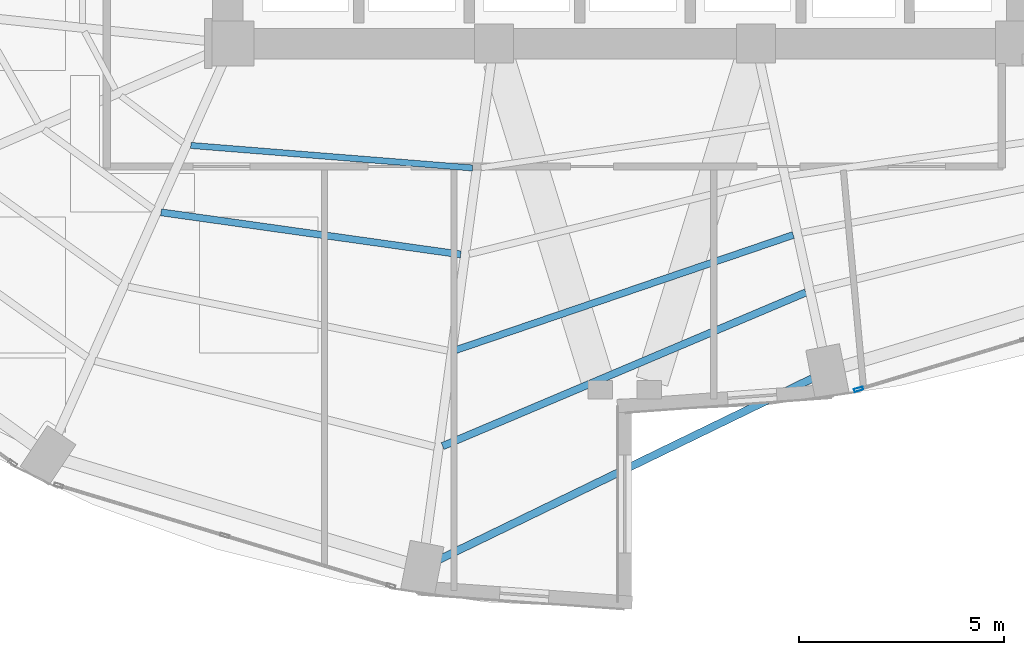
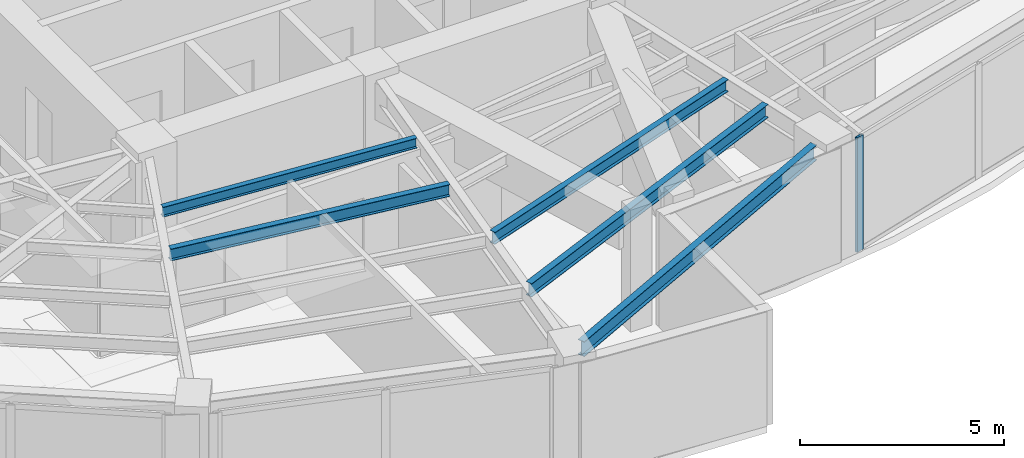
# One storey, part 6 of 24: 5 beams, 1 member, 1 element without a shape of its own.
"""IFC4 building model written with IfcOpenShell, lengths in metres."""

from ifc_helpers import new_model, si_unit, direction, frame, origin, origin_2d, place, context, subcontext, project, spatial, hollow_rectangle, i_section, extrude, material, layer, layer_set, material_profile, profile_set, type_object, element, aggregate, save


model = new_model("IFC4")

# Units and contexts
model_context = context("Model", 3, precision=1e-05, world=origin(), true_north=direction((0.0, 1.0)))
body_context = subcontext(model_context, "Body", "Model", "MODEL_VIEW")
ifc_project = project(units=[si_unit("LENGTHUNIT", "METRE"), si_unit("AREAUNIT", "SQUARE_METRE"), si_unit("VOLUMEUNIT", "CUBIC_METRE"), si_unit("PLANEANGLEUNIT", "RADIAN"), si_unit("MASSUNIT", "GRAM", prefix="KILO")], contexts=[model_context])

# Site, building, storey
site_placement = place(None, origin())
site = spatial("IfcSite", under=ifc_project, at=site_placement, CompositionType="ELEMENT")
building_placement = place(site_placement, origin())
building = spatial("IfcBuilding", under=site, at=building_placement, Name="Lazwardi Medical Tower", CompositionType="ELEMENT")
storey_placement = place(building_placement, frame((0.0, 0.0, 118.22412109375)))
storey = spatial("IfcBuildingStorey", under=building, at=storey_placement, Name="L30", CompositionType="ELEMENT", Elevation=118.22412109375)

# Beams
ifc_material_1 = material(Name="Steel S355", Category="steel")
ifc_material_profile_1 = material_profile(ifc_material_1, i_section(OverallWidth=0.179931640625, OverallDepth=0.39990234375, WebThickness=0.008544921875, FlangeThickness=0.013427734375, at=origin_2d()), Name="IPE 400")
ifc_profile_set_1 = profile_set([ifc_material_profile_1], Name="Steel S355")
beam_type_1 = type_object("IfcBeamType", Name="BM-SJ-01", PredefinedType="JOIST", material=ifc_profile_set_1)
beam_1_placement = place(storey_placement, frame((31.550537109375, 10.571533203125, 3.227783203125), z_axis=(0.920947307957, 0.389687125739, 0.0), x_axis=(-0.389687125739, 0.920947307957, 0.0)))
element("IfcBeam", 1, at=beam_1_placement, inside=storey, type_object=beam_type_1, Name="Secondary joist SJ-01 R1 B16 L30", PredefinedType="JOIST", context=body_context, shape_type="SweptSolid", body=[
    extrude(i_section(OverallWidth=0.179931640625, OverallDepth=0.39990234375, WebThickness=0.008544921875, FlangeThickness=0.013427734375, at=origin_2d()), origin(), (0.0, 0.0, 1.0), 9.63134765625),
])
ifc_material_profile_2 = material_profile(ifc_material_1, i_section(OverallWidth=0.169921875, OverallDepth=0.360107421875, WebThickness=0.008056640625, FlangeThickness=0.0126953125, at=origin_2d()), Name="IPE 360")
ifc_profile_set_2 = profile_set([ifc_material_profile_2], Name="Steel S355")
beam_type_2 = type_object("IfcBeamType", Name="BM-SJ-02", PredefinedType="JOIST", material=ifc_profile_set_2)
beam_2_placement = place(storey_placement, frame((31.874267578125, 12.91796875, 3.247802734375), z_axis=(0.946467154368, 0.322800132749, 0.0), x_axis=(-0.322800132749, 0.946467154368, 0.0)))
element("IfcBeam", 2, at=beam_2_placement, inside=storey, type_object=beam_type_2, Name="Secondary joist SJ-02 R2 B16 L30", PredefinedType="JOIST", context=body_context, shape_type="SweptSolid", body=[
    extrude(i_section(OverallWidth=0.169921875, OverallDepth=0.360107421875, WebThickness=0.008056640625, FlangeThickness=0.0126953125, at=origin_2d()), origin(), (0.0, 0.0, 1.0), 8.70458984375),
])
beam_3_placement = place(storey_placement, frame((24.67431640625, 16.281005859375, 3.247802734375), z_axis=(0.990260920731, -0.139223952222, 0.0), x_axis=(0.139223952222, 0.990260920731, 0.0)))
element("IfcBeam", 3, at=beam_3_placement, inside=storey, type_object=beam_type_2, Name="Secondary joist SJ-02 R3 B15 L30", PredefinedType="JOIST", context=body_context, shape_type="SweptSolid", body=[
    extrude(i_section(OverallWidth=0.169921875, OverallDepth=0.360107421875, WebThickness=0.008056640625, FlangeThickness=0.0126953125, at=origin_2d()), origin(), (0.0, 0.0, 1.0), 7.3896484375),
])
ifc_material_profile_3 = material_profile(ifc_material_1, i_section(OverallWidth=0.14990234375, OverallDepth=0.300048828125, WebThickness=0.007080078125, FlangeThickness=0.0107421875, at=origin_2d()), Name="IPE 300")
ifc_profile_set_3 = profile_set([ifc_material_profile_3], Name="Steel S355")
beam_type_3 = type_object("IfcBeamType", Name="BM-SJ-03", PredefinedType="JOIST", material=ifc_profile_set_3)
beam_4_placement = place(storey_placement, frame((25.400390625, 17.914306640625, 3.27783203125), z_axis=(0.996816178299, -0.079733974445, 0.0), x_axis=(0.079733974445, 0.996816178299, 0.0)))
element("IfcBeam", 4, at=beam_4_placement, inside=storey, type_object=beam_type_3, Name="Secondary joist SJ-03 R4 B15 L30", PredefinedType="JOIST", context=body_context, shape_type="SweptSolid", body=[
    extrude(i_section(OverallWidth=0.14990234375, OverallDepth=0.300048828125, WebThickness=0.007080078125, FlangeThickness=0.0107421875, at=origin_2d()), origin(), (0.0, 0.0, 1.0), 6.901611328125),
])
ifc_material_profile_4 = material_profile(ifc_material_1, i_section(OverallWidth=0.18994140625, OverallDepth=0.449951171875, WebThickness=0.009521484375, FlangeThickness=0.0146484375, at=origin_2d()), Name="IPE 450")
ifc_profile_set_4 = profile_set([ifc_material_profile_4], Name="Steel S355")
beam_type_4 = type_object("IfcBeamType", Name="BM-SP-01", PredefinedType="SPANDREL", material=ifc_profile_set_4)
beam_5_placement = place(storey_placement, frame((31.42333984375, 7.781494140625, 3.202880859375), z_axis=(0.899653336227, 0.436604941125, 0.0), x_axis=(-0.436604941125, 0.899653336227, 0.0)))
element("IfcBeam", 5, at=beam_5_placement, inside=storey, type_object=beam_type_4, Name="Spandrel beam SP-01 B16 L30", PredefinedType="SPANDREL", context=body_context, shape_type="SweptSolid", body=[
    extrude(i_section(OverallWidth=0.18994140625, OverallDepth=0.449951171875, WebThickness=0.009521484375, FlangeThickness=0.0146484375, at=origin_2d()), origin(), (0.0, 0.0, 1.0), 10.17431640625),
])

# Curtain wall, member
ifc_material_2 = material(Name="Anodised bronze aluminium and solar control glazing", Category="aluminium")
ifc_layer = layer(ifc_material_2, 0.195068359375)
ifc_layer_set = layer_set([ifc_layer], Name="Anodised bronze aluminium and solar control glazing")
curtain_wall_type = type_object("IfcCurtainWallType", Name="CW-SYS-03", PredefinedType="NOTDEFINED", material=ifc_layer_set)
curtain_wall_placement = place(storey_placement, origin())
curtain_wall = element("IfcCurtainWall", 6, at=curtain_wall_placement, inside=storey, type_object=curtain_wall_type, Name="L30 Unitised bronze curtain wall CW-03", PredefinedType="NOTDEFINED")
ifc_material_3 = material(Name="Anodised bronze aluminium", Category="aluminium")
ifc_material_profile_5 = material_profile(ifc_material_3, hollow_rectangle(XDim=0.074951171875, YDim=0.219970703125, WallThickness=0.00390625, at=origin_2d()), Name="ALU-MULLION 220x75x4")
ifc_profile_set_5 = profile_set([ifc_material_profile_5], Name="Anodised bronze aluminium")
member_type = type_object("IfcMemberType", Name="CW-MUL-01", PredefinedType="MULLION", material=ifc_profile_set_5)
member_placement = place(storey_placement, frame((41.710205078125, 11.9599609375, 0.0), z_axis=(0.0, 0.0, 1.0), x_axis=(-0.28937381157, 0.957216170558, 0.0)))
member = element("IfcMember", 7, at=member_placement, type_object=member_type, Name="CW-03 mullion 1", PredefinedType="MULLION", context=body_context, shape_type="SweptSolid", body=[
    extrude(hollow_rectangle(XDim=0.074951171875, YDim=0.219970703125, WallThickness=0.00390625, at=origin_2d()), origin(), (0.0, 0.0, 1.0), 3.427978515625),
])
aggregate(curtain_wall, [member])

save(model, "model.ifc")
